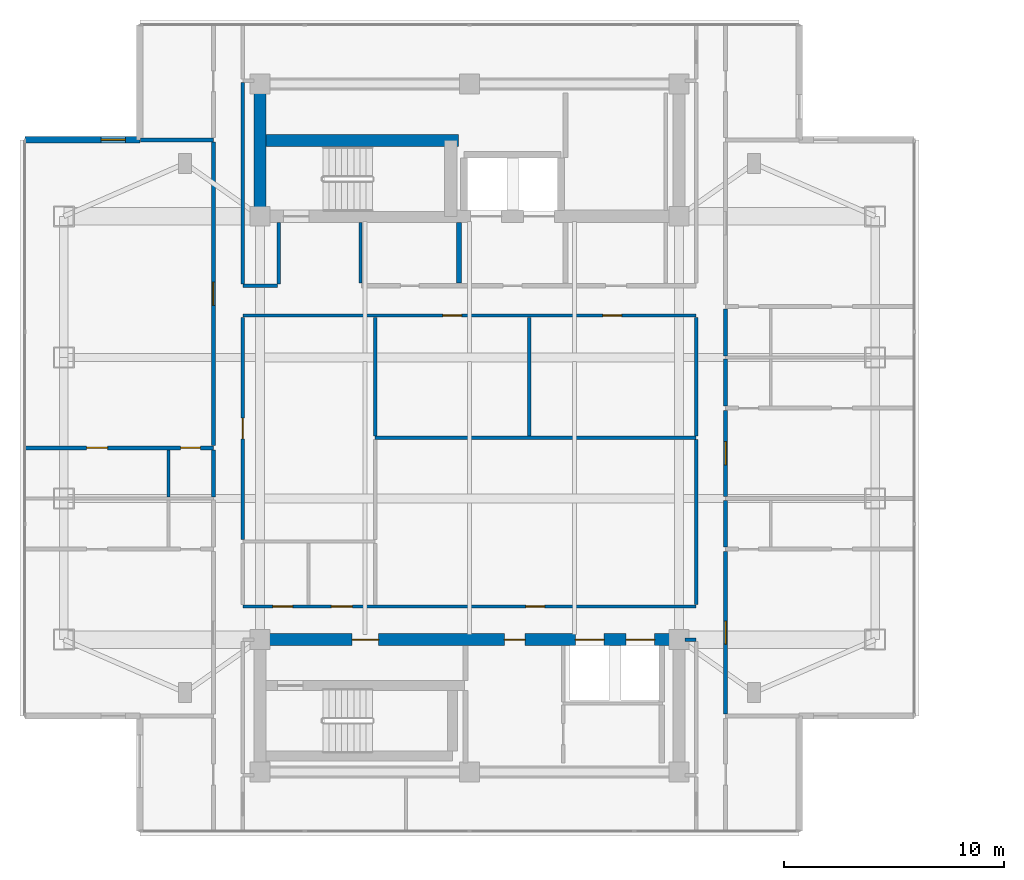
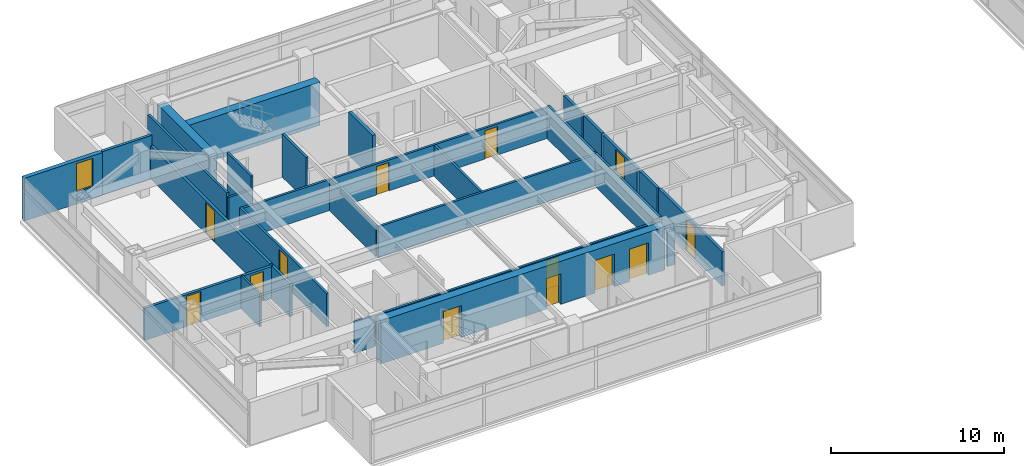
# One storey, part 13 of 24: 28 walls, 15 doors, 1 window, 16 openings.
"""IFC4 building model written with IfcOpenShell, lengths in metres."""

from ifc_helpers import new_model, si_unit, direction, frame, frame_2d, origin, place, context, subcontext, project, spatial, rectangle, extrude, material, layer, layer_set, type_object, element, fill, save


model = new_model("IFC4")

# Units and contexts
model_context = context("Model", 3, precision=1e-05, world=origin(), true_north=direction((0.0, 1.0)))
body_context = subcontext(model_context, "Body", "Model", "MODEL_VIEW")
ifc_project = project(units=[si_unit("LENGTHUNIT", "METRE"), si_unit("AREAUNIT", "SQUARE_METRE"), si_unit("VOLUMEUNIT", "CUBIC_METRE"), si_unit("PLANEANGLEUNIT", "RADIAN"), si_unit("MASSUNIT", "GRAM", prefix="KILO")], contexts=[model_context])

# Site, building, storey
site_placement = place(None, origin())
site = spatial("IfcSite", under=ifc_project, at=site_placement, CompositionType="ELEMENT")
building_placement = place(site_placement, origin())
building = spatial("IfcBuilding", under=site, at=building_placement, Name="Mirazonda Arch Towers", CompositionType="ELEMENT")
storey_placement = place(building_placement, frame((0.0, 0.0, 193.39990234375)))
storey = spatial("IfcBuildingStorey", under=building, at=storey_placement, Name="L55", CompositionType="ELEMENT", Elevation=193.39990234375)

# Walls
ifc_material_1 = material(Name="Concrete C50/60", Category="concrete")
ifc_layer_1 = layer(ifc_material_1, 0.550048828125, Name="WALL-CORE-550")
ifc_layer_set_1 = layer_set([ifc_layer_1], Name="Concrete C50/60")
wall_type_1 = type_object("IfcWallType", Name="WALL-CORE-550", PredefinedType="SHEAR", material=ifc_layer_set_1)
wall_1_placement = place(storey_placement, frame((11.0, 37.60009765625, 0.0), z_axis=(0.0, 0.0, 1.0), x_axis=(0.0, 1.0, 0.0)))
element("IfcWall", 1, at=wall_1_placement, inside=storey, type_object=wall_type_1, Name="L55 T1N-W Core Shear Wall", PredefinedType="SHEAR", context=body_context, shape_type="SweptSolid", body=[
    extrude(rectangle(XDim=6.0, YDim=0.550048828125, at=frame_2d((3.0, 0.0))), origin(), (0.0, 0.0, 1.0), 3.050048828125),
])
wall_2_placement = place(storey_placement, frame((11.0, 41.04296875, 0.0), z_axis=(0.0, 0.0, 1.0), x_axis=(1.0, 0.0, 0.0)))
element("IfcWall", 2, at=wall_2_placement, inside=storey, type_object=wall_type_1, Name="L55 T1N-STN Core Shear Wall", PredefinedType="SHEAR", context=body_context, shape_type="SweptSolid", body=[
    extrude(rectangle(XDim=9.0, YDim=0.550048828125, at=frame_2d((4.5, 0.0))), origin(), (0.0, 0.0, 1.0), 3.050048828125),
])

# Wall, openings, doors
wall_3_placement = place(storey_placement, frame((11.0, 18.39990234375, 0.0), z_axis=(0.0, 0.0, 1.0), x_axis=(1.0, 0.0, 0.0)))
wall_3 = element("IfcWall", 3, at=wall_3_placement, inside=storey, type_object=wall_type_1, Name="L55 T1S-N Core Shear Wall", PredefinedType="SHEAR", context=body_context, shape_type="SweptSolid", body=[
    extrude(rectangle(XDim=19.0, YDim=0.550048828125, at=frame_2d((9.5, 0.0))), origin(), (0.0, 0.0, 1.0), 3.050048828125),
])
opening_1_placement = place(wall_3_placement, frame((4.175048828125, 0.0, 0.0)))
opening_1 = element("IfcOpeningElement", 4, at=opening_1_placement, cuts=wall_3, Name="Opening DR-117", PredefinedType="OPENING", context=body_context, shape_type="SweptSolid", body=[
    extrude(rectangle(XDim=1.199951171875, YDim=2.25, at=frame_2d((0.60009765625, 1.125))), frame((0.0, 0.284912109375, 0.0), z_axis=(0.0, -1.0, 0.0), x_axis=(1.0, 0.0, 0.0)), (0.0, 0.0, 1.0), 0.570068359375),
])
opening_2_placement = place(wall_3_placement, frame((11.074951171875, 0.0, 0.0)))
opening_2 = element("IfcOpeningElement", 5, at=opening_2_placement, cuts=wall_3, Name="Opening DR-104", PredefinedType="OPENING", context=body_context, shape_type="SweptSolid", body=[
    extrude(rectangle(XDim=0.949951171875, YDim=2.14990234375, at=frame_2d((0.47509765625, 1.074951171875))), frame((0.0, 0.284912109375, 0.0), z_axis=(0.0, -1.0, 0.0), x_axis=(1.0, 0.0, 0.0)), (0.0, 0.0, 1.0), 0.570068359375),
])
opening_3_placement = place(wall_3_placement, frame((14.300048828125, 0.0, 0.0)))
opening_3 = element("IfcOpeningElement", 6, at=opening_3_placement, cuts=wall_3, Name="Opening LD-111", PredefinedType="OPENING", context=body_context, shape_type="SweptSolid", body=[
    extrude(rectangle(XDim=1.300048828125, YDim=2.300048828125, at=frame_2d((0.64990234375, 1.14990234375))), frame((0.0, 0.284912109375, 0.0), z_axis=(0.0, -1.0, 0.0), x_axis=(1.0, 0.0, 0.0)), (0.0, 0.0, 1.0), 0.570068359375),
])
opening_4_placement = place(wall_3_placement, frame((16.60009765625, 0.0, 0.0)))
opening_4 = element("IfcOpeningElement", 7, at=opening_4_placement, cuts=wall_3, Name="Opening LD-111", PredefinedType="OPENING", context=body_context, shape_type="SweptSolid", body=[
    extrude(rectangle(XDim=1.300048828125, YDim=2.300048828125, at=frame_2d((0.64990234375, 1.14990234375))), frame((0.0, 0.284912109375, 0.0), z_axis=(0.0, -1.0, 0.0), x_axis=(1.0, 0.0, 0.0)), (0.0, 0.0, 1.0), 0.570068359375),
])
ifc_material_2 = material(Name="Architectural Brushed Steel S355", Category="steel")
door_type_1 = type_object("IfcDoorType", Name="DOOR-FFL-FD90-1200", OperationType="NOTDEFINED", PredefinedType="DOOR", material=ifc_material_2)
door_1_placement = place(opening_1_placement, origin())
door_1 = element("IfcDoor", 8, at=door_1_placement, inside=storey, type_object=door_type_1, Name="L55 South Core Stair & Lift Lobby Door", OperationType="SINGLE_SWING_RIGHT", OverallHeight=2.25, OverallWidth=1.199951171875, PredefinedType="DOOR", context=body_context, shape_type="SweptSolid", body=[
    extrude(rectangle(XDim=1.199951171875, YDim=2.25, at=frame_2d((0.60009765625, 1.125))), frame((0.0, 0.02490234375, 0.0), z_axis=(0.0, -1.0, 0.0), x_axis=(1.0, 0.0, 0.0)), (0.0, 0.0, 1.0), 0.050048828125),
])
fill(opening_1, door_1)
door_type_2 = type_object("IfcDoorType", Name="DOOR-LIFT-LAND-1300", OperationType="NOTDEFINED", PredefinedType="DOOR", material=ifc_material_2)
door_2_placement = place(opening_3_placement, origin())
door_2 = element("IfcDoor", 9, at=door_2_placement, inside=storey, type_object=door_type_2, Name="L55 Lift Landing Sliding Door PL-T1H1", OperationType="DOUBLE_DOOR_SLIDING", OverallHeight=2.300048828125, OverallWidth=1.300048828125, PredefinedType="DOOR", context=body_context, shape_type="SweptSolid", body=[
    extrude(rectangle(XDim=1.300048828125, YDim=2.300048828125, at=frame_2d((0.64990234375, 1.14990234375))), frame((0.0, 0.02490234375, 0.0), z_axis=(0.0, -1.0, 0.0), x_axis=(1.0, 0.0, 0.0)), (0.0, 0.0, 1.0), 0.050048828125),
])
fill(opening_3, door_2)
door_3_placement = place(opening_4_placement, origin())
door_3 = element("IfcDoor", 10, at=door_3_placement, inside=storey, type_object=door_type_2, Name="L55 Lift Landing Sliding Door PL-T1H2", OperationType="DOUBLE_DOOR_SLIDING", OverallHeight=2.300048828125, OverallWidth=1.300048828125, PredefinedType="DOOR", context=body_context, shape_type="SweptSolid", body=[
    extrude(rectangle(XDim=1.300048828125, YDim=2.300048828125, at=frame_2d((0.64990234375, 1.14990234375))), frame((0.0, 0.02490234375, 0.0), z_axis=(0.0, -1.0, 0.0), x_axis=(1.0, 0.0, 0.0)), (0.0, 0.0, 1.0), 0.050048828125),
])
fill(opening_4, door_3)
door_type_3 = type_object("IfcDoorType", Name="DOOR-ROOM-950", OperationType="NOTDEFINED", PredefinedType="DOOR", material=ifc_material_2)
door_4_placement = place(opening_2_placement, origin())
door_4 = element("IfcDoor", 11, at=door_4_placement, inside=storey, type_object=door_type_3, Name="L55 Residents Wine Tasting Lounge Door", OperationType="SINGLE_SWING_RIGHT", OverallHeight=2.14990234375, OverallWidth=0.949951171875, PredefinedType="DOOR", context=body_context, shape_type="SweptSolid", body=[
    extrude(rectangle(XDim=0.949951171875, YDim=2.14990234375, at=frame_2d((0.47509765625, 1.074951171875))), frame((0.0, 0.02490234375, 0.0), z_axis=(0.0, -1.0, 0.0), x_axis=(1.0, 0.0, 0.0)), (0.0, 0.0, 1.0), 0.050048828125),
])
fill(opening_2, door_4)

# Wall, opening, window
ifc_material_3 = material(Name="Precast Concrete C40/50", Category="concrete")
ifc_layer_2 = layer(ifc_material_3, 0.280029296875, Name="WALL-EXT-WALL-280")
ifc_layer_set_2 = layer_set([ifc_layer_2], Name="Precast Concrete C40/50")
wall_type_2 = type_object("IfcWallType", Name="WALL-EXT-WALL-280", PredefinedType="SOLIDWALL", material=ifc_layer_set_2)
wall_4_placement = place(storey_placement, frame((5.544921875, 41.069091796875, 0.0), z_axis=(0.0, 0.0, 1.0), x_axis=(-1.0, 0.0, 0.0)))
wall_4 = element("IfcWall", 12, at=wall_4_placement, inside=storey, type_object=wall_type_2, Name="L55 T1 Corner Notch Return Wall WL-L55-T1-CNW1", PredefinedType="SOLIDWALL", context=body_context, shape_type="SweptSolid", body=[
    extrude(rectangle(XDim=5.21484375, YDim=0.280029296875, at=frame_2d((2.607421875, 0.0))), origin(), (0.0, 0.0, 1.0), 3.030029296875),
])
opening_5_placement = place(wall_4_placement, frame((0.64990234375, 0.0, 0.85009765625)))
opening_5 = element("IfcOpeningElement", 13, at=opening_5_placement, cuts=wall_4, Name="Opening WN-108", PredefinedType="OPENING", context=body_context, shape_type="SweptSolid", body=[
    extrude(rectangle(XDim=1.10009765625, YDim=2.0, at=frame_2d((0.550048828125, 1.0))), frame((0.0, 0.14990234375, 0.0), z_axis=(0.0, -1.0, 0.0), x_axis=(1.0, 0.0, 0.0)), (0.0, 0.0, 1.0), 0.300048828125),
])
ifc_material_4 = material(Name="Insulated Low-E Solar Glass", Category="glass")
window_type = type_object("IfcWindowType", Name="WIN-NOTCH-1100x2000", PartitioningType="SINGLE_PANEL", PredefinedType="WINDOW", material=ifc_material_4)
window_placement = place(opening_5_placement, origin())
window = element("IfcWindow", 14, at=window_placement, inside=storey, type_object=window_type, Name="L55 Punched Facade Window WN-L55-T1-CNW1", OverallHeight=2.0, OverallWidth=1.10009765625, PartitioningType="SINGLE_PANEL", PredefinedType="WINDOW", context=body_context, shape_type="SweptSolid", body=[
    extrude(rectangle(XDim=1.10009765625, YDim=2.0, at=frame_2d((0.550048828125, 1.0))), frame((0.0, 0.030029296875, 0.0), z_axis=(0.0, -1.0, 0.0), x_axis=(1.0, 0.0, 0.0)), (0.0, 0.0, 1.0), 0.06005859375),
])
fill(opening_5, window)

# Walls
ifc_material_5 = material(Name="Concrete C40/50", Category="concrete")
ifc_layer_3 = layer(ifc_material_5, 0.219970703125, Name="WALL-FFL-220")
ifc_layer_set_3 = layer_set([ifc_layer_3], Name="Concrete C40/50")
wall_type_3 = type_object("IfcWallType", Name="WALL-FFL-220", PredefinedType="SOLIDWALL", material=ifc_layer_set_3)
wall_5_placement = place(storey_placement, frame((20.02490234375, 34.570068359375, 0.0), z_axis=(0.0, 0.0, 1.0), x_axis=(0.0, 1.0, 0.0)))
element("IfcWall", 15, at=wall_5_placement, inside=storey, type_object=wall_type_3, Name="L55 Interior Partition 080", PredefinedType="SOLIDWALL", context=body_context, shape_type="SweptSolid", body=[
    extrude(rectangle(XDim=2.760009765625, YDim=0.219970703125, at=frame_2d((1.3798828125, 0.0))), origin(), (0.0, 0.0, 1.0), 3.050048828125),
])
ifc_material_6 = material(Name="Fire-Rated Gypsum Stud Partition")
ifc_layer_4 = layer(ifc_material_6, 0.14990234375, Name="WALL-PART-CORR-150")
ifc_layer_set_4 = layer_set([ifc_layer_4], Name="Fire-Rated Gypsum Stud Partition")
wall_type_4 = type_object("IfcWallType", Name="WALL-PART-CORR-150", PredefinedType="PARTITIONING", material=ifc_layer_set_4)
wall_6_placement = place(storey_placement, frame((30.27001953125, 18.39990234375, 0.0), z_axis=(0.0, 0.0, 1.0), x_axis=(1.0, 0.0, 0.0)))
element("IfcWall", 16, at=wall_6_placement, inside=storey, type_object=wall_type_4, Name="L55 Interior Partition 012", PredefinedType="PARTITIONING", context=body_context, shape_type="SweptSolid", body=[
    extrude(rectangle(XDim=0.510009765625, YDim=0.14990234375, at=frame_2d((0.2548828125, 0.0))), origin(), (0.0, 0.0, 1.0), 2.442138671875),
])

# Wall, openings, doors
wall_7_placement = place(storey_placement, frame((10.219970703125, 19.89990234375, 0.0), z_axis=(0.0, 0.0, 1.0), x_axis=(1.0, 0.0, 0.0)))
wall_7 = element("IfcWall", 17, at=wall_7_placement, inside=storey, type_object=wall_type_4, Name="L55 Interior Partition 014", PredefinedType="PARTITIONING", context=body_context, shape_type="SweptSolid", body=[
    extrude(rectangle(XDim=20.56005859375, YDim=0.14990234375, at=frame_2d((10.280029296875, 0.0))), origin(), (0.0, 0.0, 1.0), 2.18603515625),
])
opening_6_placement = place(wall_7_placement, frame((1.360107421875, 0.0, 0.0)))
opening_6 = element("IfcOpeningElement", 18, at=opening_6_placement, cuts=wall_7, Name="Opening DR-120", PredefinedType="OPENING", context=body_context, shape_type="SweptSolid", body=[
    extrude(rectangle(XDim=0.89990234375, YDim=2.10009765625, at=frame_2d((0.449951171875, 1.050048828125))), frame((0.0, 0.0849609375, 0.0), z_axis=(0.0, -1.0, 0.0), x_axis=(1.0, 0.0, 0.0)), (0.0, 0.0, 1.0), 0.169921875),
])
opening_7_placement = place(wall_7_placement, frame((4.014892578125, 0.0, 0.0)))
opening_7 = element("IfcOpeningElement", 19, at=opening_7_placement, cuts=wall_7, Name="Opening DR-104", PredefinedType="OPENING", context=body_context, shape_type="SweptSolid", body=[
    extrude(rectangle(XDim=0.949951171875, YDim=2.14990234375, at=frame_2d((0.47509765625, 1.074951171875))), frame((0.0, 0.0849609375, 0.0), z_axis=(0.0, -1.0, 0.0), x_axis=(1.0, 0.0, 0.0)), (0.0, 0.0, 1.0), 0.169921875),
])
opening_8_placement = place(wall_7_placement, frame((12.8349609375, 0.0, 0.0)))
opening_8 = element("IfcOpeningElement", 20, at=opening_8_placement, cuts=wall_7, Name="Opening DR-128", PredefinedType="OPENING", context=body_context, shape_type="SweptSolid", body=[
    extrude(rectangle(XDim=0.85009765625, YDim=2.010009765625, at=frame_2d((0.425048828125, 1.0048828125))), frame((0.0, 0.0849609375, 0.0), z_axis=(0.0, -1.0, 0.0), x_axis=(1.0, 0.0, 0.0)), (0.0, 0.0, 1.0), 0.169921875),
])
door_type_4 = type_object("IfcDoorType", Name="DOOR-RISER-FD60-850", OperationType="NOTDEFINED", PredefinedType="DOOR", material=ifc_material_2)
door_5_placement = place(opening_8_placement, origin())
door_5 = element("IfcDoor", 21, at=door_5_placement, inside=storey, type_object=door_type_4, Name="L55 Executive Club Lounge Door", OperationType="SINGLE_SWING_RIGHT", OverallHeight=2.010009765625, OverallWidth=0.85009765625, PredefinedType="DOOR", context=body_context, shape_type="SweptSolid", body=[
    extrude(rectangle(XDim=0.85009765625, YDim=2.010009765625, at=frame_2d((0.425048828125, 1.0048828125))), frame((0.0, 0.02490234375, 0.0), z_axis=(0.0, -1.0, 0.0), x_axis=(1.0, 0.0, 0.0)), (0.0, 0.0, 1.0), 0.050048828125),
])
fill(opening_8, door_5)
door_6_placement = place(opening_7_placement, origin())
door_6 = element("IfcDoor", 22, at=door_6_placement, inside=storey, type_object=door_type_3, Name="L55 L55 West Courtyard Study Door", OperationType="SINGLE_SWING_RIGHT", OverallHeight=2.14990234375, OverallWidth=0.949951171875, PredefinedType="DOOR", context=body_context, shape_type="SweptSolid", body=[
    extrude(rectangle(XDim=0.949951171875, YDim=2.14990234375, at=frame_2d((0.47509765625, 1.074951171875))), frame((0.0, 0.02490234375, 0.0), z_axis=(0.0, -1.0, 0.0), x_axis=(1.0, 0.0, 0.0)), (0.0, 0.0, 1.0), 0.050048828125),
])
fill(opening_7, door_6)
door_type_5 = type_object("IfcDoorType", Name="DOOR-WC-900", OperationType="NOTDEFINED", PredefinedType="DOOR", material=ifc_material_2)
door_7_placement = place(opening_6_placement, origin())
door_7 = element("IfcDoor", 23, at=door_7_placement, inside=storey, type_object=door_type_5, Name="L55 Common Accessible WC Door", OperationType="SINGLE_SWING_RIGHT", OverallHeight=2.10009765625, OverallWidth=0.89990234375, PredefinedType="DOOR", context=body_context, shape_type="SweptSolid", body=[
    extrude(rectangle(XDim=0.89990234375, YDim=2.10009765625, at=frame_2d((0.449951171875, 1.050048828125))), frame((0.0, 0.02490234375, 0.0), z_axis=(0.0, -1.0, 0.0), x_axis=(1.0, 0.0, 0.0)), (0.0, 0.0, 1.0), 0.050048828125),
])
fill(opening_6, door_7)

# Wall
wall_8_placement = place(storey_placement, frame((16.219970703125, 27.555908203125, 0.0), z_axis=(0.0, 0.0, 1.0), x_axis=(1.0, 0.0, 0.0)))
element("IfcWall", 24, at=wall_8_placement, inside=storey, type_object=wall_type_4, Name="L55 Interior Partition 032", PredefinedType="PARTITIONING", context=body_context, shape_type="SweptSolid", body=[
    extrude(rectangle(XDim=14.56005859375, YDim=0.14990234375, at=frame_2d((7.280029296875, 0.0))), origin(), (0.0, 0.0, 1.0), 2.18603515625),
])

# Wall, openings, doors
wall_9_placement = place(storey_placement, frame((10.219970703125, 33.10009765625, 0.0), z_axis=(0.0, 0.0, 1.0), x_axis=(1.0, 0.0, 0.0)))
wall_9 = element("IfcWall", 25, at=wall_9_placement, inside=storey, type_object=wall_type_4, Name="L55 Interior Partition 043", PredefinedType="PARTITIONING", context=body_context, shape_type="SweptSolid", body=[
    extrude(rectangle(XDim=20.56005859375, YDim=0.14990234375, at=frame_2d((10.280029296875, 0.0))), origin(), (0.0, 0.0, 1.0), 2.18603515625),
])
opening_9_placement = place(wall_9_placement, frame((9.069580078125, 0.0, 0.0)))
opening_9 = element("IfcOpeningElement", 26, at=opening_9_placement, cuts=wall_9, Name="Opening DR-128", PredefinedType="OPENING", context=body_context, shape_type="SweptSolid", body=[
    extrude(rectangle(XDim=0.85009765625, YDim=2.010009765625, at=frame_2d((0.425048828125, 1.0048828125))), frame((0.0, 0.0849609375, 0.0), z_axis=(0.0, -1.0, 0.0), x_axis=(1.0, 0.0, 0.0)), (0.0, 0.0, 1.0), 0.169921875),
])
opening_10_placement = place(wall_9_placement, frame((16.32958984375, 0.0, 0.0)))
opening_10 = element("IfcOpeningElement", 27, at=opening_10_placement, cuts=wall_9, Name="Opening DR-128", PredefinedType="OPENING", context=body_context, shape_type="SweptSolid", body=[
    extrude(rectangle(XDim=0.85009765625, YDim=2.010009765625, at=frame_2d((0.425048828125, 1.0048828125))), frame((0.0, 0.0849609375, 0.0), z_axis=(0.0, -1.0, 0.0), x_axis=(1.0, 0.0, 0.0)), (0.0, 0.0, 1.0), 0.169921875),
])
door_8_placement = place(opening_9_placement, origin())
door_8 = element("IfcDoor", 28, at=door_8_placement, inside=storey, type_object=door_type_4, Name="L55 Business Reading Study Door", OperationType="SINGLE_SWING_LEFT", OverallHeight=2.010009765625, OverallWidth=0.85009765625, PredefinedType="DOOR", context=body_context, shape_type="SweptSolid", body=[
    extrude(rectangle(XDim=0.85009765625, YDim=2.010009765625, at=frame_2d((0.425048828125, 1.0048828125))), frame((0.0, 0.02490234375, 0.0), z_axis=(0.0, -1.0, 0.0), x_axis=(1.0, 0.0, 0.0)), (0.0, 0.0, 1.0), 0.050048828125),
])
fill(opening_9, door_8)
door_9_placement = place(opening_10_placement, origin())
door_9 = element("IfcDoor", 29, at=door_9_placement, inside=storey, type_object=door_type_4, Name="L55 Private Meeting Suite Door", OperationType="SINGLE_SWING_RIGHT", OverallHeight=2.010009765625, OverallWidth=0.85009765625, PredefinedType="DOOR", context=body_context, shape_type="SweptSolid", body=[
    extrude(rectangle(XDim=0.85009765625, YDim=2.010009765625, at=frame_2d((0.425048828125, 1.0048828125))), frame((0.0, 0.02490234375, 0.0), z_axis=(0.0, -1.0, 0.0), x_axis=(1.0, 0.0, 0.0)), (0.0, 0.0, 1.0), 0.050048828125),
])
fill(opening_10, door_9)

# Wall
wall_10_placement = place(storey_placement, frame((10.219970703125, 34.449951171875, 0.0), z_axis=(0.0, 0.0, 1.0), x_axis=(1.0, 0.0, 0.0)))
element("IfcWall", 30, at=wall_10_placement, inside=storey, type_object=wall_type_4, Name="L55 Interior Partition 045", PredefinedType="PARTITIONING", context=body_context, shape_type="SweptSolid", body=[
    extrude(rectangle(XDim=1.580078125, YDim=0.14990234375, at=frame_2d((0.7900390625, 0.0))), origin(), (0.0, 0.0, 1.0), 2.18603515625),
])

# Wall, opening, door
wall_11_placement = place(storey_placement, frame((10.219970703125, 22.93505859375, 0.0), z_axis=(0.0, 0.0, 1.0), x_axis=(0.0, 1.0, 0.0)))
wall_11 = element("IfcWall", 31, at=wall_11_placement, inside=storey, type_object=wall_type_4, Name="L55 Interior Partition 069", PredefinedType="PARTITIONING", context=body_context, shape_type="SweptSolid", body=[
    extrude(rectangle(XDim=10.079833984375, YDim=0.14990234375, at=frame_2d((5.0400390625, 0.0))), origin(), (0.0, 0.0, 1.0), 2.34619140625),
])
opening_11_placement = place(wall_11_placement, frame((4.56494140625, 0.0, 0.0)))
opening_11 = element("IfcOpeningElement", 32, at=opening_11_placement, cuts=wall_11, Name="Opening DR-104", PredefinedType="OPENING", context=body_context, shape_type="SweptSolid", body=[
    extrude(rectangle(XDim=0.949951171875, YDim=2.14990234375, at=frame_2d((0.47509765625, 1.074951171875))), frame((0.0, 0.0849609375, 0.0), z_axis=(0.0, -1.0, 0.0), x_axis=(1.0, 0.0, 0.0)), (0.0, 0.0, 1.0), 0.169921875),
])
door_10_placement = place(opening_11_placement, origin())
door_10 = element("IfcDoor", 33, at=door_10_placement, inside=storey, type_object=door_type_3, Name="L55 L55 West Courtyard Salon Door", OperationType="SINGLE_SWING_LEFT", OverallHeight=2.14990234375, OverallWidth=0.949951171875, PredefinedType="DOOR", context=body_context, shape_type="SweptSolid", body=[
    extrude(rectangle(XDim=0.949951171875, YDim=2.14990234375, at=frame_2d((0.47509765625, 1.074951171875))), frame((0.0, 0.02490234375, 0.0), z_axis=(0.0, -1.0, 0.0), x_axis=(1.0, 0.0, 0.0)), (0.0, 0.0, 1.0), 0.050048828125),
])
fill(opening_11, door_10)

# Walls
wall_12_placement = place(storey_placement, frame((10.219970703125, 34.534912109375, 0.0), z_axis=(0.0, 0.0, 1.0), x_axis=(0.0, 1.0, 0.0)))
element("IfcWall", 34, at=wall_12_placement, inside=storey, type_object=wall_type_4, Name="L55 Interior Partition 070", PredefinedType="PARTITIONING", context=body_context, shape_type="SweptSolid", body=[
    extrude(rectangle(XDim=9.130126953125, YDim=0.14990234375, at=frame_2d((4.56494140625, 0.0))), origin(), (0.0, 0.0, 1.0), 2.442138671875),
])
wall_13_placement = place(storey_placement, frame((11.85009765625, 34.534912109375, 0.0), z_axis=(0.0, 0.0, 1.0), x_axis=(0.0, 1.0, 0.0)))
element("IfcWall", 35, at=wall_13_placement, inside=storey, type_object=wall_type_4, Name="L55 Interior Partition 072", PredefinedType="PARTITIONING", context=body_context, shape_type="SweptSolid", body=[
    extrude(rectangle(XDim=2.795166015625, YDim=0.14990234375, at=frame_2d((1.3974609375, 0.0))), origin(), (0.0, 0.0, 1.0), 3.050048828125),
])
wall_14_placement = place(storey_placement, frame((15.550048828125, 34.570068359375, 0.0), z_axis=(0.0, 0.0, 1.0), x_axis=(0.0, 1.0, 0.0)))
element("IfcWall", 36, at=wall_14_placement, inside=storey, type_object=wall_type_4, Name="L55 Interior Partition 074", PredefinedType="PARTITIONING", context=body_context, shape_type="SweptSolid", body=[
    extrude(rectangle(XDim=2.760009765625, YDim=0.14990234375, at=frame_2d((1.3798828125, 0.0))), origin(), (0.0, 0.0, 1.0), 3.050048828125),
])
for number, where, z_axis, x_axis, name in (
    (37, (16.219970703125, 27.64111328125, 0.0), (0.0, 0.0, 1.0), (0.0, 1.0, 0.0), "L55 Interior Partition 077"),
    (38, (23.208984375, 27.64111328125, 0.0), (0.0, 0.0, 1.0), (0.0, 1.0, 0.0), "L55 Interior Partition 084"),
):
    element("IfcWall", number, at=place(storey_placement, frame(where, z_axis=z_axis, x_axis=x_axis)), inside=storey, type_object=wall_type_4, Name=name, PredefinedType="PARTITIONING", context=body_context, shape_type="SweptSolid", body=[
        extrude(rectangle(XDim=5.373779296875, YDim=0.14990234375, at=frame_2d((2.68701171875, 0.0))), origin(), (0.0, 0.0, 1.0), 2.18603515625),
    ])
wall_15_placement = place(storey_placement, frame((30.780029296875, 19.985107421875, 0.0), z_axis=(0.0, 0.0, 1.0), x_axis=(0.0, 1.0, 0.0)))
element("IfcWall", 39, at=wall_15_placement, inside=storey, type_object=wall_type_4, Name="L55 Interior Partition 096", PredefinedType="PARTITIONING", context=body_context, shape_type="SweptSolid", body=[
    extrude(rectangle(XDim=7.48583984375, YDim=0.14990234375, at=frame_2d((3.742919921875, 0.0))), origin(), (0.0, 0.0, 1.0), 2.34619140625),
])
wall_16_placement = place(storey_placement, frame((30.780029296875, 27.64111328125, 0.0), z_axis=(0.0, 0.0, 1.0), x_axis=(0.0, 1.0, 0.0)))
element("IfcWall", 40, at=wall_16_placement, inside=storey, type_object=wall_type_4, Name="L55 Interior Partition 097", PredefinedType="PARTITIONING", context=body_context, shape_type="SweptSolid", body=[
    extrude(rectangle(XDim=5.373779296875, YDim=0.14990234375, at=frame_2d((2.68701171875, 0.0))), origin(), (0.0, 0.0, 1.0), 2.34619140625),
])

# Wall, openings, doors
ifc_material_7 = material(Name="Fire-Rated Gypsum Twin-Stud Assembly")
ifc_layer_5 = layer(ifc_material_7, 0.179931640625, Name="WALL-PART-DEMISE-180")
ifc_layer_set_5 = layer_set([ifc_layer_5], Name="Fire-Rated Gypsum Twin-Stud Assembly")
wall_type_5 = type_object("IfcWallType", Name="WALL-PART-DEMISE-180", PredefinedType="PARTITIONING", material=ifc_layer_set_5)
wall_17_placement = place(storey_placement, frame((0.330078125, 27.10009765625, 0.0), z_axis=(0.0, 0.0, 1.0), x_axis=(1.0, 0.0, 0.0)))
wall_17 = element("IfcWall", 41, at=wall_17_placement, inside=storey, type_object=wall_type_5, Name="L55 Interior Partition 031", PredefinedType="PARTITIONING", context=body_context, shape_type="SweptSolid", body=[
    extrude(rectangle(XDim=8.5498046875, YDim=0.179931640625, at=frame_2d((4.27490234375, 0.0))), origin(), (0.0, 0.0, 1.0), 2.26904296875),
])
opening_12_placement = place(wall_17_placement, frame((2.800048828125, 0.0, 0.0)))
opening_12 = element("IfcOpeningElement", 42, at=opening_12_placement, cuts=wall_17, Name="Opening DR-104", PredefinedType="OPENING", context=body_context, shape_type="SweptSolid", body=[
    extrude(rectangle(XDim=0.949951171875, YDim=2.14990234375, at=frame_2d((0.47509765625, 1.074951171875))), frame((0.0, 0.099853515625, 0.0), z_axis=(0.0, -1.0, 0.0), x_axis=(1.0, 0.0, 0.0)), (0.0, 0.0, 1.0), 0.199951171875),
])
opening_13_placement = place(wall_17_placement, frame((7.06005859375, 0.0, 0.0)))
opening_13 = element("IfcOpeningElement", 43, at=opening_13_placement, cuts=wall_17, Name="Opening DR-120", PredefinedType="OPENING", context=body_context, shape_type="SweptSolid", body=[
    extrude(rectangle(XDim=0.89990234375, YDim=2.10009765625, at=frame_2d((0.449951171875, 1.050048828125))), frame((0.0, 0.099853515625, 0.0), z_axis=(0.0, -1.0, 0.0), x_axis=(1.0, 0.0, 0.0)), (0.0, 0.0, 1.0), 0.199951171875),
])
door_11_placement = place(opening_12_placement, origin())
door_11 = element("IfcDoor", 44, at=door_11_placement, inside=storey, type_object=door_type_3, Name="L55 Suite Bedroom 2 Door", OperationType="SINGLE_SWING_LEFT", OverallHeight=2.14990234375, OverallWidth=0.949951171875, PredefinedType="DOOR", context=body_context, shape_type="SweptSolid", body=[
    extrude(rectangle(XDim=0.949951171875, YDim=2.14990234375, at=frame_2d((0.47509765625, 1.074951171875))), frame((0.0, 0.02490234375, 0.0), z_axis=(0.0, -1.0, 0.0), x_axis=(1.0, 0.0, 0.0)), (0.0, 0.0, 1.0), 0.050048828125),
])
fill(opening_12, door_11)
door_12_placement = place(opening_13_placement, origin())
door_12 = element("IfcDoor", 45, at=door_12_placement, inside=storey, type_object=door_type_5, Name="L55 Suite En-Suite Bathroom 2 Door", OperationType="SINGLE_SWING_RIGHT", OverallHeight=2.10009765625, OverallWidth=0.89990234375, PredefinedType="DOOR", context=body_context, shape_type="SweptSolid", body=[
    extrude(rectangle(XDim=0.89990234375, YDim=2.10009765625, at=frame_2d((0.449951171875, 1.050048828125))), frame((0.0, 0.02490234375, 0.0), z_axis=(0.0, -1.0, 0.0), x_axis=(1.0, 0.0, 0.0)), (0.0, 0.0, 1.0), 0.050048828125),
])
fill(opening_13, door_12)

# Walls
wall_18_placement = place(storey_placement, frame((5.56494140625, 41.069091796875, 0.0), z_axis=(0.0, 0.0, 1.0), x_axis=(1.0, 0.0, 0.0)))
element("IfcWall", 46, at=wall_18_placement, inside=storey, type_object=wall_type_5, Name="L55 Interior Partition 054", PredefinedType="PARTITIONING", context=body_context, shape_type="SweptSolid", body=[
    extrude(rectangle(XDim=3.31494140625, YDim=0.179931640625, at=frame_2d((1.657470703125, 0.0))), origin(), (0.0, 0.0, 1.0), 3.050048828125),
])
wall_19_placement = place(storey_placement, frame((8.8798828125, 24.87255859375, 0.0), z_axis=(0.0, 0.0, 1.0), x_axis=(0.0, 1.0, 0.0)))
element("IfcWall", 47, at=wall_19_placement, inside=storey, type_object=wall_type_5, Name="L55 Interior Partition 063", PredefinedType="PARTITIONING", context=body_context, shape_type="SweptSolid", body=[
    extrude(rectangle(XDim=2.12744140625, YDim=0.179931640625, at=frame_2d((1.063720703125, 0.0))), origin(), (0.0, 0.0, 1.0), 2.34619140625),
])

# Wall, opening, door
wall_20_placement = place(storey_placement, frame((8.8798828125, 27.199951171875, 0.0), z_axis=(0.0, 0.0, 1.0), x_axis=(0.0, 1.0, 0.0)))
wall_20 = element("IfcWall", 48, at=wall_20_placement, inside=storey, type_object=wall_type_5, Name="L55 Interior Partition 064", PredefinedType="PARTITIONING", context=body_context, shape_type="SweptSolid", body=[
    extrude(rectangle(XDim=13.76904296875, YDim=0.179931640625, at=frame_2d((6.884521484375, 0.0))), origin(), (0.0, 0.0, 1.0), 2.34619140625),
])
opening_14_placement = place(wall_20_placement, frame((6.359619140625, 0.0, 0.0)))
opening_14 = element("IfcOpeningElement", 49, at=opening_14_placement, cuts=wall_20, Name="Opening DR-121", PredefinedType="OPENING", context=body_context, shape_type="SweptSolid", body=[
    extrude(rectangle(XDim=1.050048828125, YDim=2.199951171875, at=frame_2d((0.52490234375, 1.10009765625))), frame((0.0, 0.099853515625, 0.0), z_axis=(0.0, -1.0, 0.0), x_axis=(1.0, 0.0, 0.0)), (0.0, 0.0, 1.0), 0.199951171875),
])
door_type_6 = type_object("IfcDoorType", Name="DOOR-SUITE-FD60-1050", OperationType="NOTDEFINED", PredefinedType="DOOR", material=ifc_material_2)
door_13_placement = place(opening_14_placement, origin())
door_13 = element("IfcDoor", 50, at=door_13_placement, inside=storey, type_object=door_type_6, Name="L55 Presidential Hotel Suite 2 Door", OperationType="SINGLE_SWING_RIGHT", OverallHeight=2.199951171875, OverallWidth=1.050048828125, PredefinedType="DOOR", context=body_context, shape_type="SweptSolid", body=[
    extrude(rectangle(XDim=1.050048828125, YDim=2.199951171875, at=frame_2d((0.52490234375, 1.10009765625))), frame((0.0, 0.02490234375, 0.0), z_axis=(0.0, -1.0, 0.0), x_axis=(1.0, 0.0, 0.0)), (0.0, 0.0, 1.0), 0.050048828125),
])
fill(opening_14, door_13)

wall_21_placement = place(storey_placement, frame((32.1201171875, 15.031005859375, 0.0), z_axis=(0.0, 0.0, 1.0), x_axis=(0.0, 1.0, 0.0)))
wall_21 = element("IfcWall", 51, at=wall_21_placement, inside=storey, type_object=wall_type_5, Name="L55 Interior Partition 101", PredefinedType="PARTITIONING", context=body_context, shape_type="SweptSolid", body=[
    extrude(rectangle(XDim=7.368896484375, YDim=0.179931640625, at=frame_2d((3.6845703125, 0.0))), origin(), (0.0, 0.0, 1.0), 2.442138671875),
])
opening_15_placement = place(wall_21_placement, frame((3.159423828125, 0.0, 0.0)))
opening_15 = element("IfcOpeningElement", 52, at=opening_15_placement, cuts=wall_21, Name="Opening DR-121", PredefinedType="OPENING", context=body_context, shape_type="SweptSolid", body=[
    extrude(rectangle(XDim=1.050048828125, YDim=2.199951171875, at=frame_2d((0.52490234375, 1.10009765625))), frame((0.0, 0.099853515625, 0.0), z_axis=(0.0, -1.0, 0.0), x_axis=(1.0, 0.0, 0.0)), (0.0, 0.0, 1.0), 0.199951171875),
])
door_14_placement = place(opening_15_placement, origin())
door_14 = element("IfcDoor", 53, at=door_14_placement, inside=storey, type_object=door_type_6, Name="L55 King Hotel Guestroom 1 Door", OperationType="SINGLE_SWING_LEFT", OverallHeight=2.199951171875, OverallWidth=1.050048828125, PredefinedType="DOOR", context=body_context, shape_type="SweptSolid", body=[
    extrude(rectangle(XDim=1.050048828125, YDim=2.199951171875, at=frame_2d((0.52490234375, 1.10009765625))), frame((0.0, 0.02490234375, 0.0), z_axis=(0.0, -1.0, 0.0), x_axis=(1.0, 0.0, 0.0)), (0.0, 0.0, 1.0), 0.050048828125),
])
fill(opening_15, door_14)

# Wall
wall_22_placement = place(storey_placement, frame((32.1201171875, 22.60009765625, 0.0), z_axis=(0.0, 0.0, 1.0), x_axis=(0.0, 1.0, 0.0)))
element("IfcWall", 54, at=wall_22_placement, inside=storey, type_object=wall_type_5, Name="L55 Interior Partition 102", PredefinedType="PARTITIONING", context=body_context, shape_type="SweptSolid", body=[
    extrude(rectangle(XDim=2.099853515625, YDim=0.179931640625, at=frame_2d((1.0498046875, 0.0))), origin(), (0.0, 0.0, 1.0), 2.34619140625),
])

# Wall, opening, door
wall_23_placement = place(storey_placement, frame((32.1201171875, 24.89990234375, 0.0), z_axis=(0.0, 0.0, 1.0), x_axis=(0.0, 1.0, 0.0)))
wall_23 = element("IfcWall", 55, at=wall_23_placement, inside=storey, type_object=wall_type_5, Name="L55 Interior Partition 103", PredefinedType="PARTITIONING", context=body_context, shape_type="SweptSolid", body=[
    extrude(rectangle(XDim=3.900146484375, YDim=0.179931640625, at=frame_2d((1.9501953125, 0.0))), origin(), (0.0, 0.0, 1.0), 2.34619140625),
])
opening_16_placement = place(wall_23_placement, frame((1.425048828125, 0.0, 0.0)))
opening_16 = element("IfcOpeningElement", 56, at=opening_16_placement, cuts=wall_23, Name="Opening DR-121", PredefinedType="OPENING", context=body_context, shape_type="SweptSolid", body=[
    extrude(rectangle(XDim=1.050048828125, YDim=2.199951171875, at=frame_2d((0.52490234375, 1.10009765625))), frame((0.0, 0.099853515625, 0.0), z_axis=(0.0, -1.0, 0.0), x_axis=(1.0, 0.0, 0.0)), (0.0, 0.0, 1.0), 0.199951171875),
])
door_15_placement = place(opening_16_placement, origin())
door_15 = element("IfcDoor", 57, at=door_15_placement, inside=storey, type_object=door_type_6, Name="L55 Twin Hotel Guestroom 2 Door", OperationType="SINGLE_SWING_RIGHT", OverallHeight=2.199951171875, OverallWidth=1.050048828125, PredefinedType="DOOR", context=body_context, shape_type="SweptSolid", body=[
    extrude(rectangle(XDim=1.050048828125, YDim=2.199951171875, at=frame_2d((0.52490234375, 1.10009765625))), frame((0.0, 0.02490234375, 0.0), z_axis=(0.0, -1.0, 0.0), x_axis=(1.0, 0.0, 0.0)), (0.0, 0.0, 1.0), 0.050048828125),
])
fill(opening_16, door_15)

# Walls
for number, where, z_axis, x_axis, name in (
    (58, (32.1201171875, 29.0, 0.0), (0.0, 0.0, 1.0), (0.0, 1.0, 0.0), "L55 Interior Partition 104"),
    (59, (32.1201171875, 31.2724609375, 0.0), (0.0, 0.0, 1.0), (0.0, 1.0, 0.0), "L55 Interior Partition 105"),
):
    element("IfcWall", number, at=place(storey_placement, frame(where, z_axis=z_axis, x_axis=x_axis)), inside=storey, type_object=wall_type_5, Name=name, PredefinedType="PARTITIONING", context=body_context, shape_type="SweptSolid", body=[
        extrude(rectangle(XDim=2.12744140625, YDim=0.179931640625, at=frame_2d((1.063720703125, 0.0))), origin(), (0.0, 0.0, 1.0), 2.34619140625),
    ])
ifc_material_8 = material(Name="Acoustic Fire-Rated Gypsum Partition")
ifc_layer_6 = layer(ifc_material_8, 0.125, Name="WALL-PART-UNIT-125")
ifc_layer_set_6 = layer_set([ifc_layer_6], Name="Acoustic Fire-Rated Gypsum Partition")
wall_type_6 = type_object("IfcWallType", Name="WALL-PART-UNIT-125", PredefinedType="PARTITIONING", material=ifc_layer_set_6)
wall_24_placement = place(storey_placement, frame((6.840087890625, 24.87255859375, 0.0), z_axis=(0.0, 0.0, 1.0), x_axis=(0.0, 1.0, 0.0)))
element("IfcWall", 60, at=wall_24_placement, inside=storey, type_object=wall_type_6, Name="L55 Interior Partition 059", PredefinedType="PARTITIONING", context=body_context, shape_type="SweptSolid", body=[
    extrude(rectangle(XDim=2.12744140625, YDim=0.125, at=frame_2d((1.063720703125, 0.0))), origin(), (0.0, 0.0, 1.0), 2.34619140625),
])

save(model, "model.ifc")
